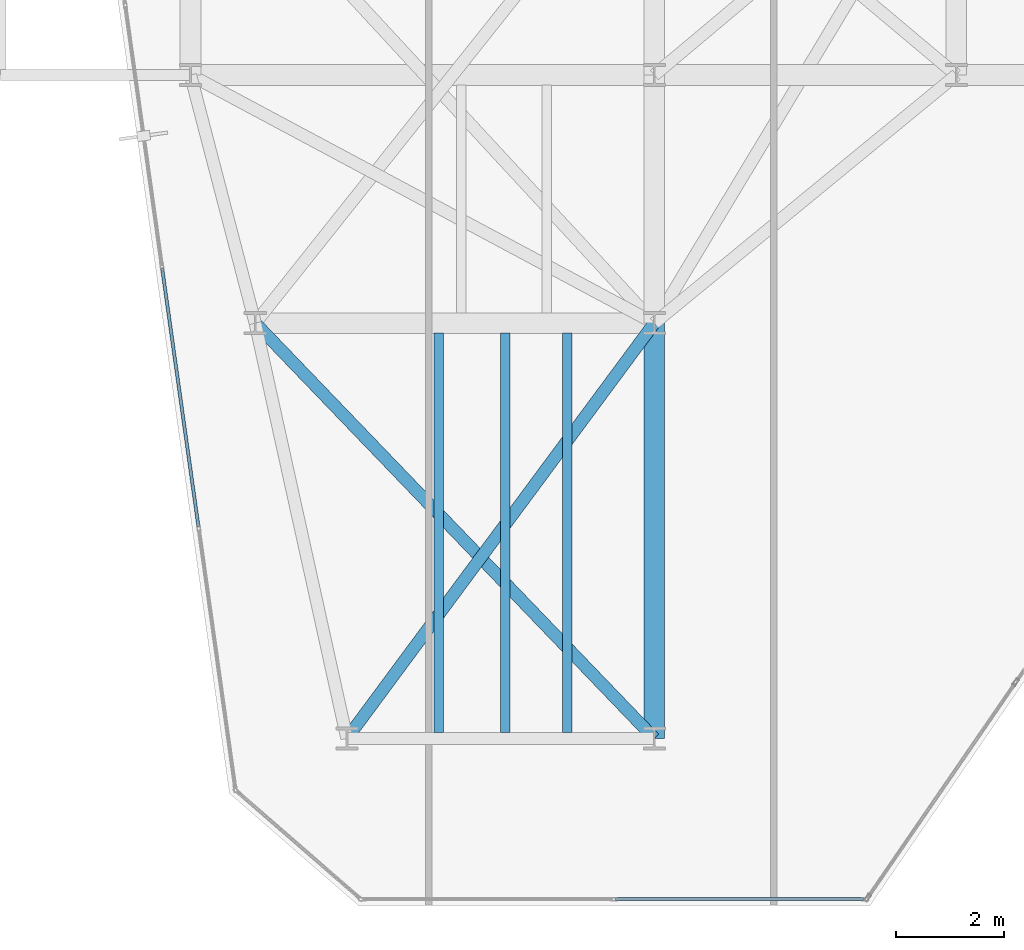
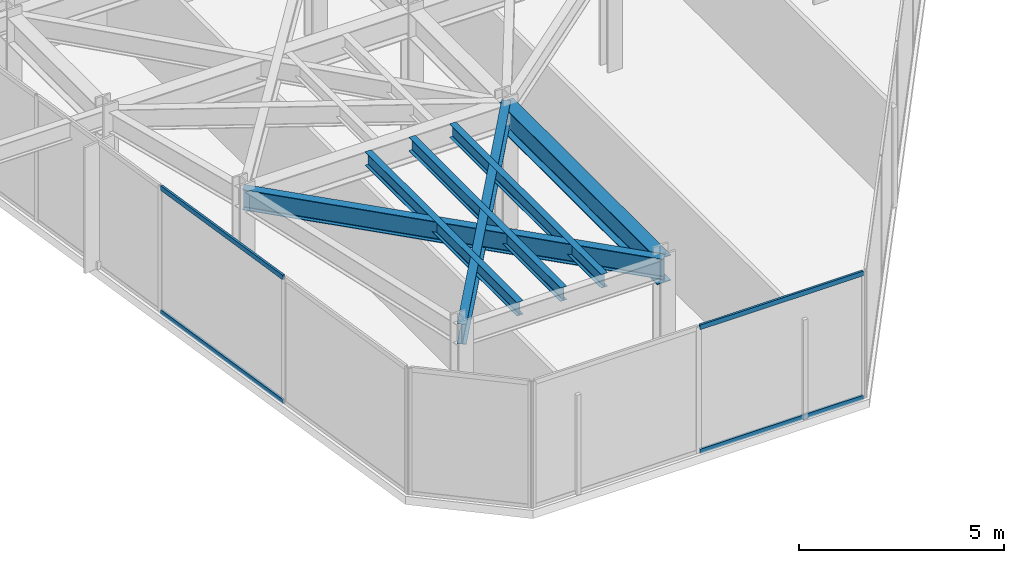
# One storey, part 3 of 27: 6 beams, 4 members, 2 elements without a shape of their own.
"""IFC4 building model written with IfcOpenShell, lengths in metres."""

from ifc_helpers import new_model, si_unit, direction, frame, origin, origin_2d, place, context, subcontext, project, spatial, hollow_rectangle, i_section, extrude, material, layer, layer_set, material_profile, profile_set, type_object, element, aggregate, save


model = new_model("IFC4")

# Units and contexts
model_context = context("Model", 3, precision=1e-05, world=origin(), true_north=direction((0.0, 1.0)))
body_context = subcontext(model_context, "Body", "Model", "MODEL_VIEW")
ifc_project = project(units=[si_unit("LENGTHUNIT", "METRE"), si_unit("AREAUNIT", "SQUARE_METRE"), si_unit("VOLUMEUNIT", "CUBIC_METRE"), si_unit("PLANEANGLEUNIT", "RADIAN"), si_unit("MASSUNIT", "GRAM", prefix="KILO")], contexts=[model_context])

# Site, building, storey
site_placement = place(None, origin())
site = spatial("IfcSite", under=ifc_project, at=site_placement, CompositionType="ELEMENT")
building_placement = place(site_placement, origin())
building = spatial("IfcBuilding", under=site, at=building_placement, Name="Kravanh Interchange Tower", CompositionType="ELEMENT")
storey_placement = place(building_placement, frame((0.0, 0.0, 164.5)))
storey = spatial("IfcBuildingStorey", under=building, at=storey_placement, Name="L39", CompositionType="ELEMENT", Elevation=164.5)

# Curtain wall, members
ifc_material_1 = material(Name="Anodised Bronze Aluminium", Category="aluminium")
ifc_layer = layer(ifc_material_1, 0.179931640625)
ifc_layer_set = layer_set([ifc_layer], Name="Unitised Curtain Wall System CW-Z3 Upper Office")
curtain_wall_type = type_object("IfcCurtainWallType", Name="Unitised Curtain Wall System CW-Z3 Upper Office", PredefinedType="NOTDEFINED", material=ifc_layer_set)
curtain_wall_1_placement = place(storey_placement, origin())
curtain_wall_1 = element("IfcCurtainWall", 1, at=curtain_wall_1_placement, inside=storey, type_object=curtain_wall_type, Name="L39 Unitised Curtain Wall CW-L39-01", PredefinedType="NOTDEFINED")
ifc_material_2 = material(Name="Anodised Bronze Aluminium", Category="aluminium")
ifc_material_profile_1 = material_profile(ifc_material_2, hollow_rectangle(XDim=0.06005859375, YDim=0.139892578125, WallThickness=0.00390625, at=origin_2d()), Name="ALU60X140X4")
ifc_profile_set_1 = profile_set([ifc_material_profile_1], Name="Anodised Bronze Aluminium")
member_type = type_object("IfcMemberType", Name="Curtain Wall Transom ALU60X140X4 Bronze", PredefinedType="USERDEFINED", material=ifc_profile_set_1)
member_1_placement = place(storey_placement, frame((18.748291015625, 18.42236328125, 0.030029296875), z_axis=(-0.139189127663, 0.990265816203, 0.0), x_axis=(-0.990265816203, -0.139189127663, 0.0)))
member_1 = element("IfcMember", 2, at=member_1_placement, type_object=member_type, Name="CW-Z3 transom 2.1", ObjectType="TRANSOM", PredefinedType="USERDEFINED", context=body_context, shape_type="SweptSolid", body=[
    extrude(hollow_rectangle(XDim=0.06005859375, YDim=0.139892578125, WallThickness=0.00390625, at=origin_2d()), origin(), (0.0, 0.0, 1.0), 4.83935546875),
])
member_2_placement = place(storey_placement, frame((18.748291015625, 18.42236328125, 3.72509765625), z_axis=(-0.139189127663, 0.990265816203, 0.0), x_axis=(-0.990265816203, -0.139189127663, 0.0)))
member_2 = element("IfcMember", 3, at=member_2_placement, type_object=member_type, Name="CW-Z3 transom 2.2", ObjectType="TRANSOM", PredefinedType="USERDEFINED", context=body_context, shape_type="SweptSolid", body=[
    extrude(hollow_rectangle(XDim=0.06005859375, YDim=0.139892578125, WallThickness=0.00390625, at=origin_2d()), origin(), (0.0, 0.0, 1.0), 4.83935546875),
])
aggregate(curtain_wall_1, [member_1, member_2])

curtain_wall_2_placement = place(storey_placement, origin())
curtain_wall_2 = element("IfcCurtainWall", 4, at=curtain_wall_2_placement, inside=storey, type_object=curtain_wall_type, Name="L39 Unitised Curtain Wall CW-L39-06", PredefinedType="NOTDEFINED")
member_3_placement = place(storey_placement, frame((31.076904296875, 11.52001953125, 0.030029296875), z_axis=(-1.0, 0.0, 0.0), x_axis=(0.0, -1.0, 0.0)))
member_3 = element("IfcMember", 5, at=member_3_placement, type_object=member_type, Name="CW-Z3 transom 1.1", ObjectType="TRANSOM", PredefinedType="USERDEFINED", context=body_context, shape_type="SweptSolid", body=[
    extrude(hollow_rectangle(XDim=0.06005859375, YDim=0.139892578125, WallThickness=0.00390625, at=origin_2d()), origin(), (0.0, 0.0, 1.0), 4.598876953125),
])
member_4_placement = place(storey_placement, frame((31.076904296875, 11.52001953125, 3.72509765625), z_axis=(-1.0, 0.0, 0.0), x_axis=(0.0, -1.0, 0.0)))
member_4 = element("IfcMember", 6, at=member_4_placement, type_object=member_type, Name="CW-Z3 transom 1.2", ObjectType="TRANSOM", PredefinedType="USERDEFINED", context=body_context, shape_type="SweptSolid", body=[
    extrude(hollow_rectangle(XDim=0.06005859375, YDim=0.139892578125, WallThickness=0.00390625, at=origin_2d()), origin(), (0.0, 0.0, 1.0), 4.598876953125),
])
aggregate(curtain_wall_2, [member_3, member_4])

# Beams
ifc_material_3 = material(Name="Structural Steel S355", Category="steel")
ifc_material_profile_2 = material_profile(ifc_material_3, i_section(OverallWidth=0.381103515625, OverallDepth=0.77294921875, WebThickness=0.0166015625, FlangeThickness=0.027099609375, FilletRadius=0.02490234375, at=origin_2d()), Name="W30X173")
ifc_profile_set_2 = profile_set([ifc_material_profile_2], Name="Structural Steel S355")
beam_type_1 = type_object("IfcBeamType", Name="Floor Beam W30X173 Structural Steel S355", PredefinedType="BEAM", material=ifc_profile_set_2)
beam_1_placement = place(storey_placement, frame((27.199951171875, 14.5, 3.368408203125), z_axis=(0.0, 1.0, 0.0), x_axis=(-1.0, 0.0, 0.0)))
element("IfcBeam", 7, at=beam_1_placement, inside=storey, type_object=beam_type_1, Name="L39 Primary Floor Girder 70", PredefinedType="BEAM", context=body_context, shape_type="SweptSolid", body=[
    extrude(i_section(OverallWidth=0.381103515625, OverallDepth=0.77294921875, WebThickness=0.0166015625, FlangeThickness=0.027099609375, FilletRadius=0.02490234375, at=origin_2d()), origin(), (0.0, 0.0, 1.0), 7.699951171875),
])
ifc_material_4 = material(Name="Structural Steel S355", Category="steel")
ifc_material_profile_3 = material_profile(ifc_material_4, i_section(OverallWidth=0.177978515625, OverallDepth=0.406005859375, WebThickness=0.0078125, FlangeThickness=0.0126953125, FilletRadius=0.01611328125, at=origin_2d()), Name="W16X40")
ifc_profile_set_3 = profile_set([ifc_material_profile_3], Name="Structural Steel S355")
beam_type_2 = type_object("IfcBeamType", Name="Floor Joist W16X40 Structural Steel S355", PredefinedType="JOIST", material=ifc_profile_set_3)
for number, where, z_axis, x_axis, name in (
    (8, (23.2060546875, 14.60888671875, 3.552001953125), (0.0, 1.0, 0.0), (-1.0, 0.0, 0.0), "L39 Secondary Floor Joist 1"),
    (9, (24.43798828125, 14.60888671875, 3.552001953125), (0.0, 1.0, 0.0), (-1.0, 0.0, 0.0), "L39 Secondary Floor Joist 2"),
    (10, (25.58203125, 14.60888671875, 3.552001953125), (0.0, 1.0, 0.0), (-1.0, 0.0, 0.0), "L39 Secondary Floor Joist 3"),
):
    element("IfcBeam", number, at=place(storey_placement, frame(where, z_axis=z_axis, x_axis=x_axis)), inside=storey, type_object=beam_type_2, Name=name, PredefinedType="JOIST", context=body_context, shape_type="SweptSolid", body=[
        extrude(i_section(OverallWidth=0.177978515625, OverallDepth=0.406005859375, WebThickness=0.0078125, FlangeThickness=0.0126953125, FilletRadius=0.01611328125, at=origin_2d()), origin(), (0.0, 0.0, 1.0), 7.405517578125),
    ])
ifc_material_5 = material(Name="Structural Steel S355", Category="steel")
ifc_material_profile_4 = material_profile(ifc_material_5, i_section(OverallWidth=0.22802734375, OverallDepth=0.60791015625, WebThickness=0.01123046875, FlangeThickness=0.017333984375, FilletRadius=0.02197265625, at=origin_2d()), Name="W24X76")
ifc_profile_set_4 = profile_set([ifc_material_profile_4], Name="Structural Steel S355")
beam_type_3 = type_object("IfcBeamType", Name="Floor Spandrel W24X76 Structural Steel S355", PredefinedType="SPANDREL", material=ifc_profile_set_4)
beam_2_placement = place(storey_placement, frame((21.5, 14.5, 3.450927734375), z_axis=(0.59497703726, 0.803742698339, 0.0), x_axis=(-0.803742698339, 0.59497703726, 0.0)))
element("IfcBeam", 11, at=beam_2_placement, inside=storey, type_object=beam_type_3, Name="L39 Perimeter Spandrel 32", PredefinedType="SPANDREL", context=body_context, shape_type="SweptSolid", body=[
    extrude(i_section(OverallWidth=0.22802734375, OverallDepth=0.60791015625, WebThickness=0.01123046875, FlangeThickness=0.017333984375, FilletRadius=0.02197265625, at=origin_2d()), origin(), (0.0, 0.0, 1.0), 9.580078125),
])
beam_3_placement = place(storey_placement, frame((27.199951171875, 14.5, 3.450927734375), z_axis=(-0.692919091225, 0.721015348669, 0.0), x_axis=(-0.721015348669, -0.692919091225, 0.0)))
element("IfcBeam", 12, at=beam_3_placement, inside=storey, type_object=beam_type_3, Name="L39 Perimeter Spandrel 71", PredefinedType="SPANDREL", context=body_context, shape_type="SweptSolid", body=[
    extrude(i_section(OverallWidth=0.22802734375, OverallDepth=0.60791015625, WebThickness=0.01123046875, FlangeThickness=0.017333984375, FilletRadius=0.02197265625, at=origin_2d()), origin(), (0.0, 0.0, 1.0), 10.67919921875),
])

save(model, "model.ifc")
